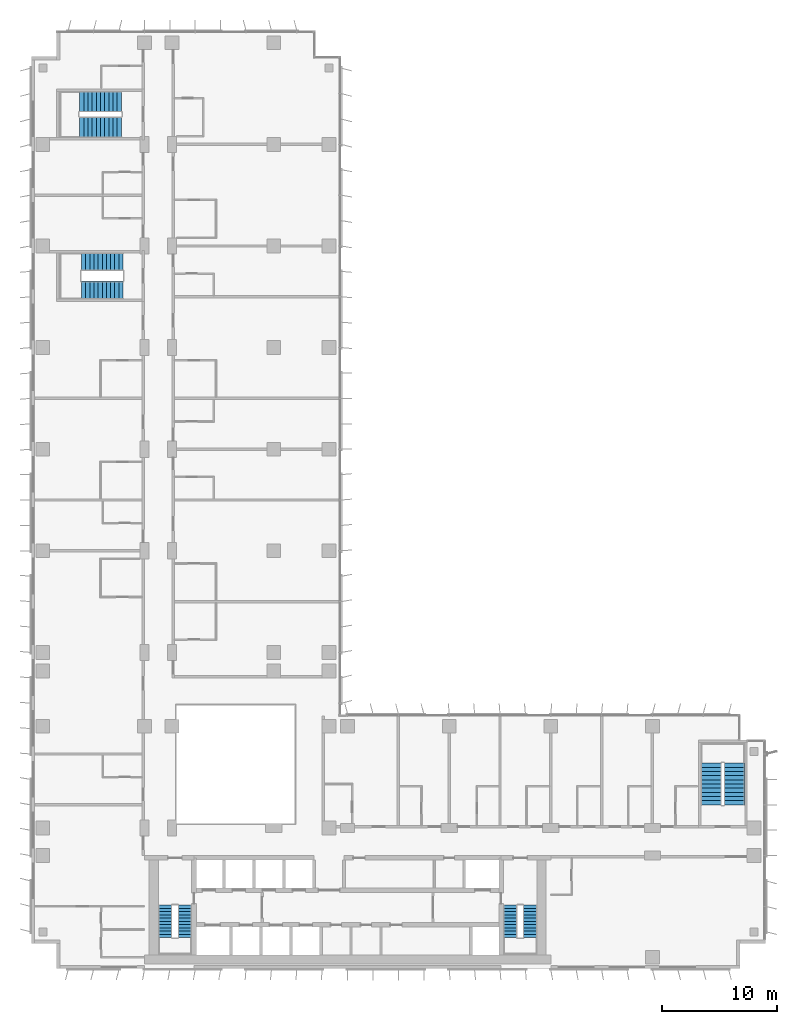
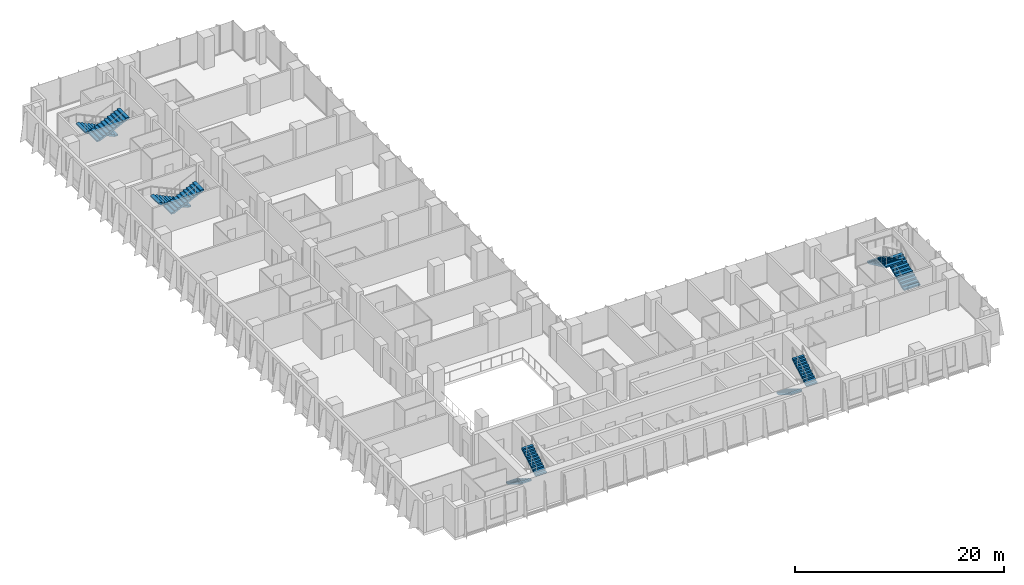
# One storey, part 18 of 22: 10 stair flights, 5 elements without a shape of their own.
"""IFC4 building model written with IfcOpenShell, lengths in metres."""

from ifc_helpers import new_model, si_unit, direction, frame, origin, place, context, subcontext, project, spatial, polyline, outline, extrude, material, type_object, element, aggregate, save


model = new_model("IFC4")

# Units and contexts
model_context = context("Model", 3, precision=1e-05, world=origin(), true_north=direction((0.0, 1.0)))
body_context = subcontext(model_context, "Body", "Model", "MODEL_VIEW")
ifc_project = project(units=[si_unit("LENGTHUNIT", "METRE"), si_unit("AREAUNIT", "SQUARE_METRE"), si_unit("VOLUMEUNIT", "CUBIC_METRE"), si_unit("PLANEANGLEUNIT", "RADIAN"), si_unit("MASSUNIT", "GRAM", prefix="KILO")], contexts=[model_context])

# Site, building, storey
site_placement = place(None, origin())
site = spatial("IfcSite", under=ifc_project, at=site_placement, CompositionType="ELEMENT")
building_placement = place(site_placement, origin())
building = spatial("IfcBuilding", under=site, at=building_placement, Name="Kemantara Hotel Tower", CompositionType="ELEMENT")
storey_placement = place(building_placement, frame((0.0, 0.0, 111.10009765625)))
storey = spatial("IfcBuildingStorey", under=building, at=storey_placement, Name="L26", CompositionType="ELEMENT", Elevation=111.10009765625)

# Stair, stair flights
ifc_material = material(Name="Concrete fc 40 MPa", Category="concrete")
stair_type_1 = type_object("IfcStairType", Name="Stair 1200 wide 22 risers of 168 x 280 mm", PredefinedType="HALF_TURN_STAIR", material=ifc_material)
stair_1_placement = place(storey_placement, origin())
stair_1 = element("IfcStair", 1, at=stair_1_placement, inside=storey, type_object=stair_type_1, Name="L26 Exit stair ST1", PredefinedType="HALF_TURN_STAIR")
stair_flight_type_1 = type_object("IfcStairFlightType", Name="Stair flight 1200 wide 168 x 280 mm", PredefinedType="STRAIGHT", material=ifc_material)
stair_flight_1_placement = place(storey_placement, frame((11.60009765625, 5.5, 0.0), z_axis=(0.0, 0.0, 1.0), x_axis=(0.0, -1.0, 0.0)))
stair_flight_1 = element("IfcStairFlight", 2, at=stair_flight_1_placement, type_object=stair_flight_type_1, Name="ST1 flight 1", NumberOfRisers=11, NumberOfTreads=10, PredefinedType="STRAIGHT", RiserHeight=0.168181818, TreadLength=0.28, context=body_context, shape_type="SweptSolid", body=[
    extrude(outline(polyline([(0.0, 0.0), (0.0, 0.168212890625), (0.280029296875, 0.168212890625), (0.280029296875, 0.33642578125), (0.56005859375, 0.33642578125), (0.56005859375, 0.504638671875), (0.840087890625, 0.504638671875), (0.840087890625, 0.672607421875), (1.1201171875, 0.672607421875), (1.1201171875, 0.8408203125), (1.39990234375, 0.8408203125), (1.39990234375, 1.009033203125), (1.679931640625, 1.009033203125), (1.679931640625, 1.17724609375), (1.9599609375, 1.17724609375), (1.9599609375, 1.345458984375), (2.239990234375, 1.345458984375), (2.239990234375, 1.513671875), (2.52001953125, 1.513671875), (2.52001953125, 1.681884765625), (2.800048828125, 1.681884765625), (2.800048828125, 1.85009765625), (2.800048828125, 1.5068359375), (0.291015625, 0.0), (0.0, 0.0)])), frame((0.0, 0.60009765625, 0.0), z_axis=(0.0, -1.0, 0.0), x_axis=(1.0, 0.0, 0.0)), (0.0, 0.0, 1.0), 1.199951171875),
])
stair_flight_2_placement = place(storey_placement, frame((13.300048828125, 2.699951171875, 1.849853515625), z_axis=(0.0, 0.0, 1.0), x_axis=(0.0, 1.0, 0.0)))
stair_flight_2 = element("IfcStairFlight", 3, at=stair_flight_2_placement, type_object=stair_flight_type_1, Name="ST1 flight 2", NumberOfRisers=11, NumberOfTreads=10, PredefinedType="STRAIGHT", RiserHeight=0.168181818, TreadLength=0.28, context=body_context, shape_type="SweptSolid", body=[
    extrude(outline(polyline([(0.0, 0.0), (0.0, 0.168212890625), (0.280029296875, 0.168212890625), (0.280029296875, 0.33642578125), (0.56005859375, 0.33642578125), (0.56005859375, 0.504638671875), (0.840087890625, 0.504638671875), (0.840087890625, 0.672607421875), (1.1201171875, 0.672607421875), (1.1201171875, 0.8408203125), (1.39990234375, 0.8408203125), (1.39990234375, 1.009033203125), (1.679931640625, 1.009033203125), (1.679931640625, 1.17724609375), (1.9599609375, 1.17724609375), (1.9599609375, 1.345458984375), (2.239990234375, 1.345458984375), (2.239990234375, 1.513671875), (2.52001953125, 1.513671875), (2.52001953125, 1.681884765625), (2.800048828125, 1.681884765625), (2.800048828125, 1.85009765625), (2.800048828125, 1.5068359375), (0.291015625, 0.0), (0.0, 0.0)])), frame((0.0, 0.60009765625, 0.0), z_axis=(0.0, -1.0, 0.0), x_axis=(1.0, 0.0, 0.0)), (0.0, 0.0, 1.0), 1.199951171875),
])
aggregate(stair_1, [stair_flight_1, stair_flight_2])

stair_2_placement = place(storey_placement, origin())
stair_2 = element("IfcStair", 4, at=stair_2_placement, inside=storey, type_object=stair_type_1, Name="L26 Exit stair ST2", PredefinedType="HALF_TURN_STAIR")
stair_flight_3_placement = place(storey_placement, frame((41.5, 5.5, 0.0), z_axis=(0.0, 0.0, 1.0), x_axis=(0.0, -1.0, 0.0)))
stair_flight_3 = element("IfcStairFlight", 5, at=stair_flight_3_placement, type_object=stair_flight_type_1, Name="ST2 flight 1", NumberOfRisers=11, NumberOfTreads=10, PredefinedType="STRAIGHT", RiserHeight=0.168181818, TreadLength=0.28, context=body_context, shape_type="SweptSolid", body=[
    extrude(outline(polyline([(0.0, 0.0), (0.0, 0.168212890625), (0.280029296875, 0.168212890625), (0.280029296875, 0.33642578125), (0.56005859375, 0.33642578125), (0.56005859375, 0.504638671875), (0.840087890625, 0.504638671875), (0.840087890625, 0.672607421875), (1.1201171875, 0.672607421875), (1.1201171875, 0.8408203125), (1.39990234375, 0.8408203125), (1.39990234375, 1.009033203125), (1.679931640625, 1.009033203125), (1.679931640625, 1.17724609375), (1.9599609375, 1.17724609375), (1.9599609375, 1.345458984375), (2.239990234375, 1.345458984375), (2.239990234375, 1.513671875), (2.52001953125, 1.513671875), (2.52001953125, 1.681884765625), (2.800048828125, 1.681884765625), (2.800048828125, 1.85009765625), (2.800048828125, 1.5068359375), (0.291015625, 0.0), (0.0, 0.0)])), frame((0.0, 0.60009765625, 0.0), z_axis=(0.0, -1.0, 0.0), x_axis=(1.0, 0.0, 0.0)), (0.0, 0.0, 1.0), 1.199951171875),
])
stair_flight_4_placement = place(storey_placement, frame((43.199951171875, 2.699951171875, 1.849853515625), z_axis=(0.0, 0.0, 1.0), x_axis=(0.0, 1.0, 0.0)))
stair_flight_4 = element("IfcStairFlight", 6, at=stair_flight_4_placement, type_object=stair_flight_type_1, Name="ST2 flight 2", NumberOfRisers=11, NumberOfTreads=10, PredefinedType="STRAIGHT", RiserHeight=0.168181818, TreadLength=0.28, context=body_context, shape_type="SweptSolid", body=[
    extrude(outline(polyline([(0.0, 0.0), (0.0, 0.168212890625), (0.280029296875, 0.168212890625), (0.280029296875, 0.33642578125), (0.56005859375, 0.33642578125), (0.56005859375, 0.504638671875), (0.840087890625, 0.504638671875), (0.840087890625, 0.672607421875), (1.1201171875, 0.672607421875), (1.1201171875, 0.8408203125), (1.39990234375, 0.8408203125), (1.39990234375, 1.009033203125), (1.679931640625, 1.009033203125), (1.679931640625, 1.17724609375), (1.9599609375, 1.17724609375), (1.9599609375, 1.345458984375), (2.239990234375, 1.345458984375), (2.239990234375, 1.513671875), (2.52001953125, 1.513671875), (2.52001953125, 1.681884765625), (2.800048828125, 1.681884765625), (2.800048828125, 1.85009765625), (2.800048828125, 1.5068359375), (0.291015625, 0.0), (0.0, 0.0)])), frame((0.0, 0.60009765625, 0.0), z_axis=(0.0, -1.0, 0.0), x_axis=(1.0, 0.0, 0.0)), (0.0, 0.0, 1.0), 1.199951171875),
])
aggregate(stair_2, [stair_flight_3, stair_flight_4])

stair_type_2 = type_object("IfcStairType", Name="Stair 1550 wide 22 risers of 168 x 360 mm", PredefinedType="HALF_TURN_STAIR", material=ifc_material)
stair_3_placement = place(storey_placement, origin())
stair_3 = element("IfcStair", 7, at=stair_3_placement, inside=storey, type_object=stair_type_2, Name="L26 Exit stair ST4", PredefinedType="HALF_TURN_STAIR")
stair_flight_type_2 = type_object("IfcStairFlightType", Name="Stair flight 1550 wide 168 x 360 mm", PredefinedType="STRAIGHT", material=ifc_material)
stair_flight_5_placement = place(storey_placement, frame((7.949951171875, 61.22509765625, 0.0), z_axis=(0.0, 0.0, 1.0), x_axis=(-1.0, 0.0, 0.0)))
stair_flight_5 = element("IfcStairFlight", 8, at=stair_flight_5_placement, type_object=stair_flight_type_2, Name="ST4 flight 1", NumberOfRisers=11, NumberOfTreads=10, PredefinedType="STRAIGHT", RiserHeight=0.168181818, TreadLength=0.36, context=body_context, shape_type="SweptSolid", body=[
    extrude(outline(polyline([(0.0, 0.0), (0.0, 0.168212890625), (0.360107421875, 0.168212890625), (0.360107421875, 0.33642578125), (0.719970703125, 0.33642578125), (0.719970703125, 0.504638671875), (1.080078125, 0.504638671875), (1.080078125, 0.672607421875), (1.43994140625, 0.672607421875), (1.43994140625, 0.8408203125), (1.800048828125, 0.8408203125), (1.800048828125, 1.009033203125), (2.159912109375, 1.009033203125), (2.159912109375, 1.17724609375), (2.52001953125, 1.17724609375), (2.52001953125, 1.345458984375), (2.8798828125, 1.345458984375), (2.8798828125, 1.513671875), (3.239990234375, 1.513671875), (3.239990234375, 1.681884765625), (3.60009765625, 1.681884765625), (3.60009765625, 1.85009765625), (3.60009765625, 1.516357421875), (0.354248046875, 0.0), (0.0, 0.0)])), frame((0.0, 0.77490234375, 0.0), z_axis=(0.0, -1.0, 0.0), x_axis=(1.0, 0.0, 0.0)), (0.0, 0.0, 1.0), 1.550048828125),
])
stair_flight_6_placement = place(storey_placement, frame((4.35009765625, 58.77490234375, 1.849853515625), z_axis=(0.0, 0.0, 1.0), x_axis=(1.0, 0.0, 0.0)))
stair_flight_6 = element("IfcStairFlight", 9, at=stair_flight_6_placement, type_object=stair_flight_type_2, Name="ST4 flight 2", NumberOfRisers=11, NumberOfTreads=10, PredefinedType="STRAIGHT", RiserHeight=0.168181818, TreadLength=0.36, context=body_context, shape_type="SweptSolid", body=[
    extrude(outline(polyline([(0.0, 0.0), (0.0, 0.168212890625), (0.360107421875, 0.168212890625), (0.360107421875, 0.33642578125), (0.719970703125, 0.33642578125), (0.719970703125, 0.504638671875), (1.080078125, 0.504638671875), (1.080078125, 0.672607421875), (1.43994140625, 0.672607421875), (1.43994140625, 0.8408203125), (1.800048828125, 0.8408203125), (1.800048828125, 1.009033203125), (2.159912109375, 1.009033203125), (2.159912109375, 1.17724609375), (2.52001953125, 1.17724609375), (2.52001953125, 1.345458984375), (2.8798828125, 1.345458984375), (2.8798828125, 1.513671875), (3.239990234375, 1.513671875), (3.239990234375, 1.681884765625), (3.60009765625, 1.681884765625), (3.60009765625, 1.85009765625), (3.60009765625, 1.516357421875), (0.354248046875, 0.0), (0.0, 0.0)])), frame((0.0, 0.77490234375, 0.0), z_axis=(0.0, -1.0, 0.0), x_axis=(1.0, 0.0, 0.0)), (0.0, 0.0, 1.0), 1.550048828125),
])
aggregate(stair_3, [stair_flight_5, stair_flight_6])

stair_type_3 = type_object("IfcStairType", Name="Stair 1800 wide 22 risers of 168 x 360 mm", PredefinedType="HALF_TURN_STAIR", material=ifc_material)
stair_4_placement = place(storey_placement, origin())
stair_4 = element("IfcStair", 10, at=stair_4_placement, inside=storey, type_object=stair_type_3, Name="L26 Exit stair ST3", PredefinedType="HALF_TURN_STAIR")
stair_flight_type_3 = type_object("IfcStairFlightType", Name="Stair flight 1800 wide 168 x 360 mm", PredefinedType="STRAIGHT", material=ifc_material)
stair_flight_7_placement = place(storey_placement, frame((60.89990234375, 14.199951171875, 0.0), z_axis=(0.0, 0.0, 1.0), x_axis=(0.0, 1.0, 0.0)))
stair_flight_7 = element("IfcStairFlight", 11, at=stair_flight_7_placement, type_object=stair_flight_type_3, Name="ST3 flight 1", NumberOfRisers=11, NumberOfTreads=10, PredefinedType="STRAIGHT", RiserHeight=0.168181818, TreadLength=0.36, context=body_context, shape_type="SweptSolid", body=[
    extrude(outline(polyline([(0.0, 0.0), (0.0, 0.168212890625), (0.360107421875, 0.168212890625), (0.360107421875, 0.33642578125), (0.719970703125, 0.33642578125), (0.719970703125, 0.504638671875), (1.080078125, 0.504638671875), (1.080078125, 0.672607421875), (1.43994140625, 0.672607421875), (1.43994140625, 0.8408203125), (1.800048828125, 0.8408203125), (1.800048828125, 1.009033203125), (2.159912109375, 1.009033203125), (2.159912109375, 1.17724609375), (2.52001953125, 1.17724609375), (2.52001953125, 1.345458984375), (2.8798828125, 1.345458984375), (2.8798828125, 1.513671875), (3.239990234375, 1.513671875), (3.239990234375, 1.681884765625), (3.60009765625, 1.681884765625), (3.60009765625, 1.85009765625), (3.60009765625, 1.516357421875), (0.354248046875, 0.0), (0.0, 0.0)])), frame((0.0, 0.89990234375, 0.0), z_axis=(0.0, -1.0, 0.0), x_axis=(1.0, 0.0, 0.0)), (0.0, 0.0, 1.0), 1.800048828125),
])
stair_flight_8_placement = place(storey_placement, frame((58.89990234375, 17.800048828125, 1.849853515625), z_axis=(0.0, 0.0, 1.0), x_axis=(0.0, -1.0, 0.0)))
stair_flight_8 = element("IfcStairFlight", 12, at=stair_flight_8_placement, type_object=stair_flight_type_3, Name="ST3 flight 2", NumberOfRisers=11, NumberOfTreads=10, PredefinedType="STRAIGHT", RiserHeight=0.168181818, TreadLength=0.36, context=body_context, shape_type="SweptSolid", body=[
    extrude(outline(polyline([(0.0, 0.0), (0.0, 0.168212890625), (0.360107421875, 0.168212890625), (0.360107421875, 0.33642578125), (0.719970703125, 0.33642578125), (0.719970703125, 0.504638671875), (1.080078125, 0.504638671875), (1.080078125, 0.672607421875), (1.43994140625, 0.672607421875), (1.43994140625, 0.8408203125), (1.800048828125, 0.8408203125), (1.800048828125, 1.009033203125), (2.159912109375, 1.009033203125), (2.159912109375, 1.17724609375), (2.52001953125, 1.17724609375), (2.52001953125, 1.345458984375), (2.8798828125, 1.345458984375), (2.8798828125, 1.513671875), (3.239990234375, 1.513671875), (3.239990234375, 1.681884765625), (3.60009765625, 1.681884765625), (3.60009765625, 1.85009765625), (3.60009765625, 1.516357421875), (0.354248046875, 0.0), (0.0, 0.0)])), frame((0.0, 0.89990234375, 0.0), z_axis=(0.0, -1.0, 0.0), x_axis=(1.0, 0.0, 0.0)), (0.0, 0.0, 1.0), 1.800048828125),
])
aggregate(stair_4, [stair_flight_7, stair_flight_8])

stair_5_placement = place(storey_placement, origin())
stair_5 = element("IfcStair", 13, at=stair_5_placement, inside=storey, type_object=stair_type_3, Name="L26 Exit stair ST6", PredefinedType="HALF_TURN_STAIR")
stair_flight_9_placement = place(storey_placement, frame((7.800048828125, 75.10009765625, 0.0), z_axis=(0.0, 0.0, 1.0), x_axis=(-1.0, 0.0, 0.0)))
stair_flight_9 = element("IfcStairFlight", 14, at=stair_flight_9_placement, type_object=stair_flight_type_3, Name="ST6 flight 1", NumberOfRisers=11, NumberOfTreads=10, PredefinedType="STRAIGHT", RiserHeight=0.168181818, TreadLength=0.36, context=body_context, shape_type="SweptSolid", body=[
    extrude(outline(polyline([(0.0, 0.0), (0.0, 0.168212890625), (0.360107421875, 0.168212890625), (0.360107421875, 0.33642578125), (0.719970703125, 0.33642578125), (0.719970703125, 0.504638671875), (1.080078125, 0.504638671875), (1.080078125, 0.672607421875), (1.43994140625, 0.672607421875), (1.43994140625, 0.8408203125), (1.800048828125, 0.8408203125), (1.800048828125, 1.009033203125), (2.159912109375, 1.009033203125), (2.159912109375, 1.17724609375), (2.52001953125, 1.17724609375), (2.52001953125, 1.345458984375), (2.8798828125, 1.345458984375), (2.8798828125, 1.513671875), (3.239990234375, 1.513671875), (3.239990234375, 1.681884765625), (3.60009765625, 1.681884765625), (3.60009765625, 1.85009765625), (3.60009765625, 1.516357421875), (0.354248046875, 0.0), (0.0, 0.0)])), frame((0.0, 0.89990234375, 0.0), z_axis=(0.0, -1.0, 0.0), x_axis=(1.0, 0.0, 0.0)), (0.0, 0.0, 1.0), 1.800048828125),
])
stair_flight_10_placement = place(storey_placement, frame((4.199951171875, 72.89990234375, 1.849853515625), z_axis=(0.0, 0.0, 1.0), x_axis=(1.0, 0.0, 0.0)))
stair_flight_10 = element("IfcStairFlight", 15, at=stair_flight_10_placement, type_object=stair_flight_type_3, Name="ST6 flight 2", NumberOfRisers=11, NumberOfTreads=10, PredefinedType="STRAIGHT", RiserHeight=0.168181818, TreadLength=0.36, context=body_context, shape_type="SweptSolid", body=[
    extrude(outline(polyline([(0.0, 0.0), (0.0, 0.168212890625), (0.360107421875, 0.168212890625), (0.360107421875, 0.33642578125), (0.719970703125, 0.33642578125), (0.719970703125, 0.504638671875), (1.080078125, 0.504638671875), (1.080078125, 0.672607421875), (1.43994140625, 0.672607421875), (1.43994140625, 0.8408203125), (1.800048828125, 0.8408203125), (1.800048828125, 1.009033203125), (2.159912109375, 1.009033203125), (2.159912109375, 1.17724609375), (2.52001953125, 1.17724609375), (2.52001953125, 1.345458984375), (2.8798828125, 1.345458984375), (2.8798828125, 1.513671875), (3.239990234375, 1.513671875), (3.239990234375, 1.681884765625), (3.60009765625, 1.681884765625), (3.60009765625, 1.85009765625), (3.60009765625, 1.516357421875), (0.354248046875, 0.0), (0.0, 0.0)])), frame((0.0, 0.89990234375, 0.0), z_axis=(0.0, -1.0, 0.0), x_axis=(1.0, 0.0, 0.0)), (0.0, 0.0, 1.0), 1.800048828125),
])
aggregate(stair_5, [stair_flight_9, stair_flight_10])

save(model, "model.ifc")
